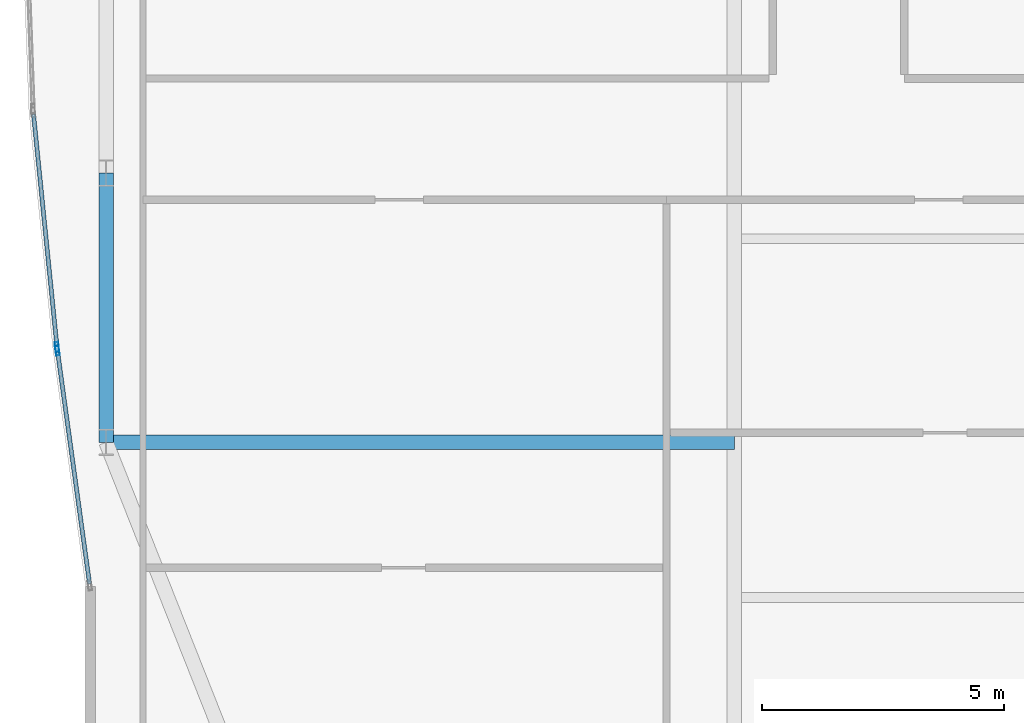
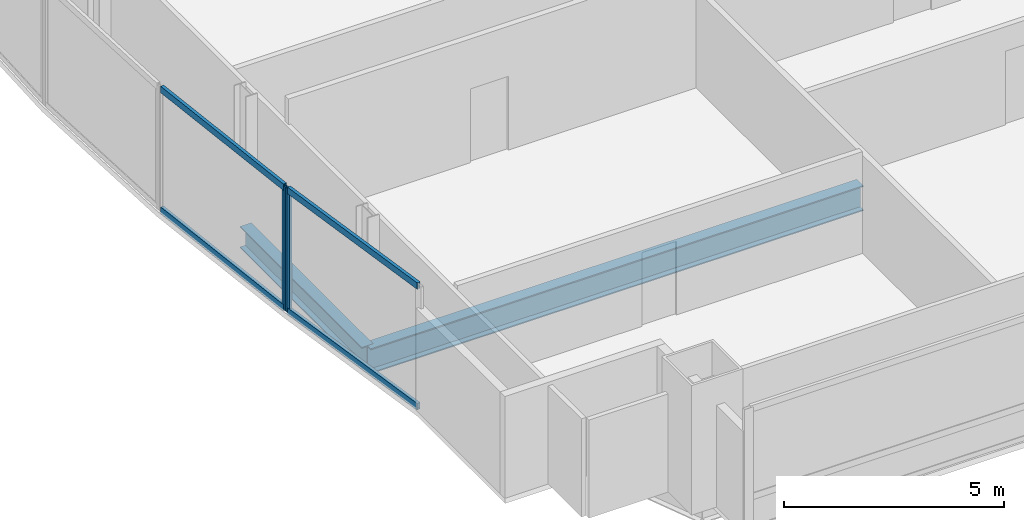
# One storey, part 6 of 29: 6 members, 2 beams, 2 elements without a shape of their own.
"""IFC4 building model written with IfcOpenShell, lengths in metres."""

from ifc_helpers import new_model, si_unit, direction, frame, origin, origin_2d, place, context, subcontext, project, spatial, hollow_rectangle, i_section, extrude, material, material_profile, profile_set, type_object, element, aggregate, save


model = new_model("IFC4")

# Units and contexts
model_context = context("Model", 3, precision=1e-05, world=origin(), true_north=direction((0.0, 1.0)))
body_context = subcontext(model_context, "Body", "Model", "MODEL_VIEW")
ifc_project = project(units=[si_unit("LENGTHUNIT", "METRE"), si_unit("AREAUNIT", "SQUARE_METRE"), si_unit("VOLUMEUNIT", "CUBIC_METRE"), si_unit("PLANEANGLEUNIT", "RADIAN"), si_unit("MASSUNIT", "GRAM", prefix="KILO")], contexts=[model_context])

# Site, building, storey
site_placement = place(None, origin())
site = spatial("IfcSite", under=ifc_project, at=site_placement, CompositionType="ELEMENT")
building_placement = place(site_placement, origin())
building = spatial("IfcBuilding", under=site, at=building_placement, Name="Khoronbel Lancet Exchange", CompositionType="ELEMENT")
storey_placement = place(building_placement, frame((0.0, 0.0, 177.0)))
storey = spatial("IfcBuildingStorey", under=building, at=storey_placement, Name="L44", CompositionType="ELEMENT", Elevation=177.0)

# Beams
ifc_material_1 = material(Name="Steel S355", Category="steel")
ifc_material_profile_1 = material_profile(ifc_material_1, i_section(OverallWidth=0.300048828125, OverallDepth=0.699951171875, WebThickness=0.01708984375, FlangeThickness=0.031982421875, at=origin_2d()), Name="HEB 700")
ifc_profile_set_1 = profile_set([ifc_material_profile_1], Name="Steel S355")
beam_type_1 = type_object("IfcBeamType", Name="BM-BG3", PredefinedType="BEAM", material=ifc_profile_set_1)
beam_1_placement = place(storey_placement, frame((5.27001953125, 19.199951171875, -0.510009765625), z_axis=(1.0, 0.0, 0.0), x_axis=(0.0, 1.0, 0.0)))
element("IfcBeam", 1, at=beam_1_placement, inside=storey, type_object=beam_type_1, Name="Level L44 west lens tie girder LG1W", PredefinedType="BEAM", context=body_context, shape_type="SweptSolid", body=[
    extrude(i_section(OverallWidth=0.300048828125, OverallDepth=0.699951171875, WebThickness=0.01708984375, FlangeThickness=0.031982421875, at=origin_2d()), origin(), (0.0, 0.0, 1.0), 12.955078125),
])
ifc_material_profile_2 = material_profile(ifc_material_1, i_section(OverallWidth=0.300048828125, OverallDepth=0.60009765625, WebThickness=0.015380859375, FlangeThickness=0.030029296875, at=origin_2d()), Name="HEB 600")
ifc_profile_set_2 = profile_set([ifc_material_profile_2], Name="Steel S355")
beam_type_2 = type_object("IfcBeamType", Name="BM-BSP2", PredefinedType="SPANDREL", material=ifc_profile_set_2)
beam_2_placement = place(storey_placement, frame((5.27001953125, 24.75, -0.4599609375), z_axis=(0.0, -1.0, 0.0), x_axis=(1.0, 0.0, 0.0)))
element("IfcBeam", 2, at=beam_2_placement, inside=storey, type_object=beam_type_2, Name="Level L44 perimeter spandrel beam SP20", PredefinedType="SPANDREL", context=body_context, shape_type="SweptSolid", body=[
    extrude(i_section(OverallWidth=0.300048828125, OverallDepth=0.60009765625, WebThickness=0.015380859375, FlangeThickness=0.030029296875, at=origin_2d()), origin(), (0.0, 0.0, 1.0), 5.550048828125),
])

# Curtain wall, member
ifc_material_2 = material(Name="Low-E Solar Control Insulating Glass", Category="glass")
curtain_wall_type = type_object("IfcCurtainWallType", Name="CW-4", PredefinedType="NOTDEFINED", material=ifc_material_2)
curtain_wall_1_placement = place(storey_placement, origin())
curtain_wall_1 = element("IfcCurtainWall", 3, at=curtain_wall_1_placement, inside=storey, type_object=curtain_wall_type, Name="Unitised curtain wall CW-L44-E04", PredefinedType="NOTDEFINED")
ifc_material_3 = material(Name="Bronze-Anodised Aluminium 6063-T6", Category="aluminium")
ifc_material_profile_3 = material_profile(ifc_material_3, hollow_rectangle(XDim=0.074951171875, YDim=0.199951171875, WallThickness=0.0048828125, at=origin_2d()), Name="ALU MULLION 75x200")
ifc_profile_set_3 = profile_set([ifc_material_profile_3], Name="Bronze-Anodised Aluminium 6063-T6")
member_type_1 = type_object("IfcMemberType", Name="MEM-CWM2", PredefinedType="MULLION", material=ifc_profile_set_3)
member_1_placement = place(storey_placement, frame((4.266845703125, 21.09033203125, 0.0), z_axis=(0.0, 0.0, 1.0), x_axis=(-0.990634372292, -0.136541350639, 0.0)))
member_1 = element("IfcMember", 4, at=member_1_placement, type_object=member_type_1, Name="CW4 mullion 2", PredefinedType="MULLION", context=body_context, shape_type="SweptSolid", body=[
    extrude(hollow_rectangle(XDim=0.074951171875, YDim=0.199951171875, WallThickness=0.0048828125, at=origin_2d()), origin(), (0.0, 0.0, 1.0), 3.43994140625),
])

curtain_wall_2_placement = place(storey_placement, origin())
curtain_wall_2 = element("IfcCurtainWall", 5, at=curtain_wall_2_placement, inside=storey, type_object=curtain_wall_type, Name="Unitised curtain wall CW-L44-E05", PredefinedType="NOTDEFINED")
member_2_placement = place(storey_placement, frame((4.258056640625, 21.164794921875, 0.0), z_axis=(0.0, 0.0, 1.0), x_axis=(-0.994946738202, -0.10040412412, 0.0)))
member_2 = element("IfcMember", 6, at=member_2_placement, type_object=member_type_1, Name="CW4 mullion 1", PredefinedType="MULLION", context=body_context, shape_type="SweptSolid", body=[
    extrude(hollow_rectangle(XDim=0.074951171875, YDim=0.199951171875, WallThickness=0.0048828125, at=origin_2d()), origin(), (0.0, 0.0, 1.0), 3.43994140625),
])

# Member
ifc_material_profile_4 = material_profile(ifc_material_3, hollow_rectangle(XDim=0.0849609375, YDim=0.179931640625, WallThickness=0.0048828125, at=origin_2d()), Name="ALU TRANSOM 85x180")
ifc_profile_set_4 = profile_set([ifc_material_profile_4], Name="Bronze-Anodised Aluminium 6063-T6")
member_type_2 = type_object("IfcMemberType", Name="MEM-CWT1", PredefinedType="USERDEFINED", material=ifc_profile_set_4)
member_3_placement = place(storey_placement, frame((4.9296875, 16.280517578125, 0.04248046875), z_axis=(-0.136517361793, 0.990637678432, 0.0), x_axis=(-0.990637678432, -0.136517361793, 0.0)))
member_3 = element("IfcMember", 7, at=member_3_placement, type_object=member_type_2, Name="CW4 transom 1.1", ObjectType="TRANSOM", PredefinedType="USERDEFINED", context=body_context, shape_type="SweptSolid", body=[
    extrude(hollow_rectangle(XDim=0.0849609375, YDim=0.179931640625, WallThickness=0.0048828125, at=origin_2d()), origin(), (0.0, 0.0, 1.0), 4.81787109375),
])

member_4_placement = place(storey_placement, frame((4.9296875, 16.280517578125, 3.3974609375), z_axis=(-0.136517361793, 0.990637678432, 0.0), x_axis=(-0.990637678432, -0.136517361793, 0.0)))
member_4 = element("IfcMember", 8, at=member_4_placement, type_object=member_type_2, Name="CW4 transom 1.2", ObjectType="TRANSOM", PredefinedType="USERDEFINED", context=body_context, shape_type="SweptSolid", body=[
    extrude(hollow_rectangle(XDim=0.0849609375, YDim=0.179931640625, WallThickness=0.0048828125, at=origin_2d()), origin(), (0.0, 0.0, 1.0), 4.81787109375),
])

aggregate(curtain_wall_1, [member_1, member_3, member_4])

member_5_placement = place(storey_placement, frame((4.254150390625, 21.201904296875, 0.04248046875), z_axis=(-0.100417624929, 0.994945375688, 0.0), x_axis=(-0.994945375688, -0.100417624929, 0.0)))
member_5 = element("IfcMember", 9, at=member_5_placement, type_object=member_type_2, Name="CW4 transom 1.1", ObjectType="TRANSOM", PredefinedType="USERDEFINED", context=body_context, shape_type="SweptSolid", body=[
    extrude(hollow_rectangle(XDim=0.0849609375, YDim=0.179931640625, WallThickness=0.0048828125, at=origin_2d()), origin(), (0.0, 0.0, 1.0), 4.787109375),
])

member_6_placement = place(storey_placement, frame((4.254150390625, 21.201904296875, 3.3974609375), z_axis=(-0.100417624929, 0.994945375688, 0.0), x_axis=(-0.994945375688, -0.100417624929, 0.0)))
member_6 = element("IfcMember", 10, at=member_6_placement, type_object=member_type_2, Name="CW4 transom 1.2", ObjectType="TRANSOM", PredefinedType="USERDEFINED", context=body_context, shape_type="SweptSolid", body=[
    extrude(hollow_rectangle(XDim=0.0849609375, YDim=0.179931640625, WallThickness=0.0048828125, at=origin_2d()), origin(), (0.0, 0.0, 1.0), 4.787109375),
])

aggregate(curtain_wall_2, [member_2, member_5, member_6])

save(model, "model.ifc")
